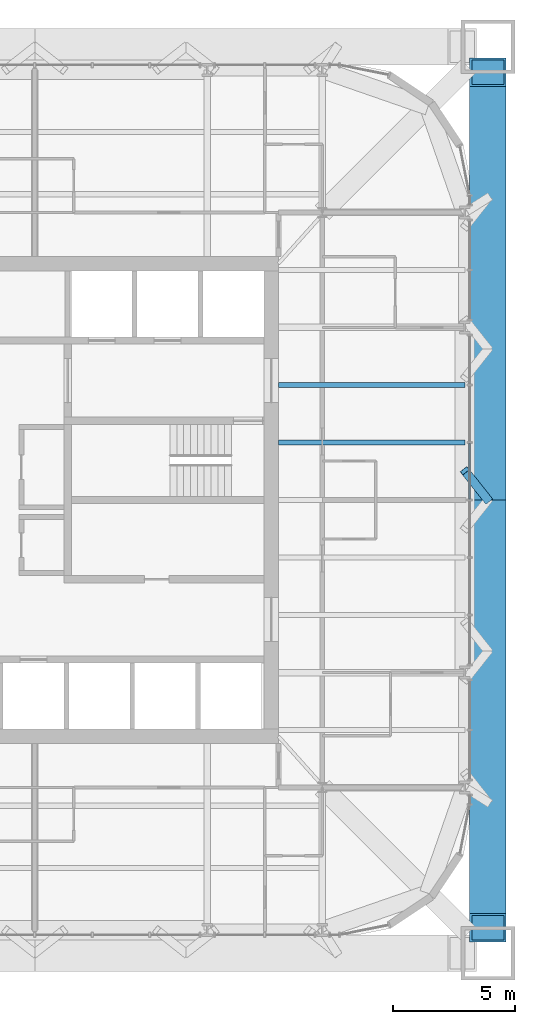
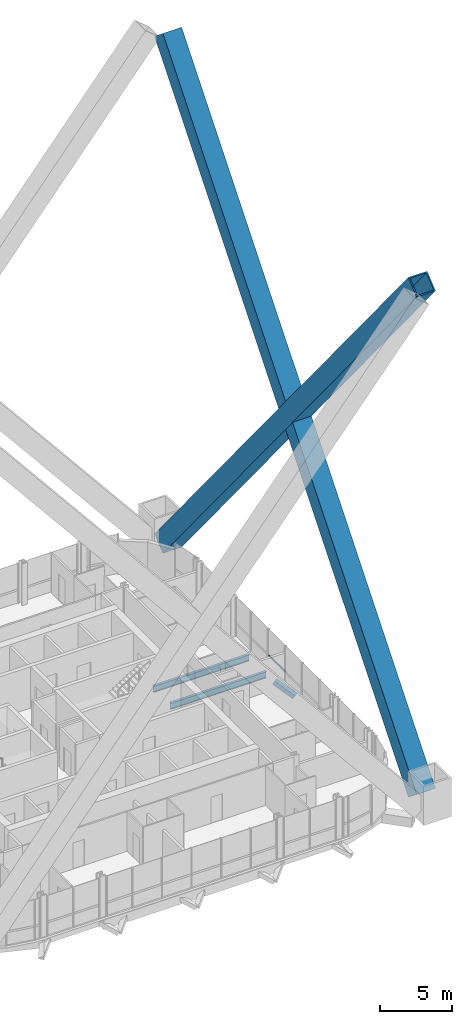
# One storey, part 8 of 23: 3 beams, 3 members, 1 element without a shape of its own.
"""IFC4 building model written with IfcOpenShell, lengths in metres."""

from ifc_helpers import new_model, si_unit, direction, frame, origin, origin_2d, place, context, subcontext, project, spatial, rectangle, hollow_rectangle, i_section, extrude, material, material_profile, profile_set, type_object, element, aggregate, save


model = new_model("IFC4")

# Units and contexts
model_context = context("Model", 3, precision=1e-05, world=origin(), true_north=direction((0.0, 1.0)))
body_context = subcontext(model_context, "Body", "Model", "MODEL_VIEW")
ifc_project = project(units=[si_unit("LENGTHUNIT", "METRE"), si_unit("AREAUNIT", "SQUARE_METRE"), si_unit("VOLUMEUNIT", "CUBIC_METRE"), si_unit("PLANEANGLEUNIT", "RADIAN"), si_unit("MASSUNIT", "GRAM", prefix="KILO")], contexts=[model_context])

# Site, building, storey
site_placement = place(None, origin())
site = spatial("IfcSite", under=ifc_project, at=site_placement, CompositionType="ELEMENT")
building_placement = place(site_placement, origin())
building = spatial("IfcBuilding", under=site, at=building_placement, Name="Turquesa Mirador Hotel Tower", CompositionType="ELEMENT")
storey_placement = place(building_placement, frame((0.0, 0.0, 226.699951171875)))
storey = spatial("IfcBuildingStorey", under=building, at=storey_placement, Name="L61", CompositionType="ELEMENT", Elevation=226.699951171875)

# Beams
ifc_material_1 = material(Name="Steel ASTM A992 Grade 50", Category="steel")
ifc_material_profile_1 = material_profile(ifc_material_1, i_section(OverallWidth=0.209228515625, OverallDepth=0.533447265625, WebThickness=0.01025390625, FlangeThickness=0.015625, at=origin_2d()), Name="W21X62")
ifc_profile_set_1 = profile_set([ifc_material_profile_1], Name="Steel ASTM A992 Grade 50")
beam_type_1 = type_object("IfcBeamType", Name="BEAM W21X62", PredefinedType="BEAM", material=ifc_profile_set_1)
for number, where, z_axis, x_axis, name in (
    (1, (72.64990234375, 47.360107421875, -0.436767578125), (-1.0, 0.0, 0.0), (0.0, -1.0, 0.0), "BM-L61-E-+2.36"),
    (2, (72.64990234375, 49.719970703125, -0.436767578125), (-1.0, 0.0, 0.0), (0.0, -1.0, 0.0), "BM-L61-E-+4.72"),
):
    element("IfcBeam", number, at=place(storey_placement, frame(where, z_axis=z_axis, x_axis=x_axis)), inside=storey, type_object=beam_type_1, Name=name, PredefinedType="BEAM", context=body_context, shape_type="SweptSolid", body=[
        extrude(i_section(OverallWidth=0.209228515625, OverallDepth=0.533447265625, WebThickness=0.01025390625, FlangeThickness=0.015625, at=origin_2d()), origin(), (0.0, 0.0, 1.0), 7.64990234375),
    ])
ifc_material_2 = material(Name="Steel ASTM A500 Grade C", Category="steel")
ifc_material_profile_2 = material_profile(ifc_material_2, hollow_rectangle(XDim=0.355712890625, YDim=0.355712890625, WallThickness=0.0146484375, at=origin_2d()), Name="HSS14X14X5/8")
ifc_profile_set_2 = profile_set([ifc_material_profile_2], Name="Steel ASTM A500 Grade C")
beam_type_2 = type_object("IfcBeamType", Name="BRACE STRUT HSS14X14X5/8", PredefinedType="BEAM", material=ifc_profile_set_2)
beam_placement = place(storey_placement, frame((73.60009765625, 45.0, -1.199951171875), z_axis=(-0.542379264492, 0.684941954003, 0.486496919924), x_axis=(-0.783971428146, -0.620796907089, 0.0)))
element("IfcBeam", 3, at=beam_placement, inside=storey, type_object=beam_type_2, Name="Brace strut", PredefinedType="BEAM", context=body_context, shape_type="SweptSolid", body=[
    extrude(hollow_rectangle(XDim=0.355712890625, YDim=0.355712890625, WallThickness=0.0146484375, at=origin_2d()), origin(), (0.0, 0.0, 1.0), 1.751953125),
])

# Curtain wall, member
ifc_material_3 = material(Name="Aluminium extrusion", Category="aluminium")
curtain_wall_type = type_object("IfcCurtainWallType", Name="CW-4 SUITE FRITTED CURTAIN WALL", PredefinedType="USERDEFINED", material=ifc_material_3)
curtain_wall_placement = place(storey_placement, origin())
curtain_wall = element("IfcCurtainWall", 4, at=curtain_wall_placement, inside=storey, type_object=curtain_wall_type, Name="CW-4 SUITE FRITTED CURTAIN WALL L61", ObjectType="CURTAIN WALL", PredefinedType="USERDEFINED")
ifc_material_4 = material(Name="Aluminium extrusion", Category="aluminium")
ifc_material_profile_3 = material_profile(ifc_material_4, rectangle(XDim=0.06494140625, YDim=0.14990234375, at=origin_2d()), Name="TRANSOM 65X150")
ifc_profile_set_3 = profile_set([ifc_material_profile_3], Name="Aluminium extrusion")
member_type_1 = type_object("IfcMemberType", Name="CW TRANSOM 65X150", PredefinedType="USERDEFINED", material=ifc_profile_set_3)
member_placement = place(storey_placement, frame((72.85009765625, 45.032470703125, 1.10009765625), z_axis=(0.0, 1.0, 0.0), x_axis=(-1.0, 0.0, 0.0)))
member = element("IfcMember", 5, at=member_placement, type_object=member_type_1, Name="Transom", ObjectType="TRANSOM", PredefinedType="USERDEFINED", context=body_context, shape_type="SweptSolid", body=[
    extrude(rectangle(XDim=0.06494140625, YDim=0.14990234375, at=origin_2d()), origin(), (0.0, 0.0, 1.0), 2.294921875),
])
aggregate(curtain_wall, [member])

# Members
ifc_material_5 = material(Name="Steel ASTM A572 Grade 50", Category="steel")
ifc_material_profile_4 = material_profile(ifc_material_5, hollow_rectangle(XDim=1.5, YDim=1.5, WallThickness=0.10009765625, at=origin_2d()), Name="BOX1500X1500X100")
ifc_profile_set_4 = profile_set([ifc_material_profile_4], Name="Steel ASTM A572 Grade 50")
member_type_2 = type_object("IfcMemberType", Name="MEGA BRACE BOX1500X1500X100", PredefinedType="BRACE", material=ifc_profile_set_4)
for number, where, z_axis, x_axis, name in (
    (6, (73.60009765625, 27.449951171875, 1.284423828125), (0.0, 0.632961323464, 0.774183416897), (-1.0, 0.0, 0.0), "Mega brace Z4 E 1"),
    (7, (73.60009765625, 62.550048828125, 1.284423828125), (0.0, -0.632961323464, 0.774183416897), (1.0, 0.0, 0.0), "Mega brace Z4 E 2"),
):
    element("IfcMember", number, at=place(storey_placement, frame(where, z_axis=z_axis, x_axis=x_axis)), inside=storey, type_object=member_type_2, Name=name, PredefinedType="BRACE", context=body_context, shape_type="SweptSolid", body=[
        extrude(hollow_rectangle(XDim=1.5, YDim=1.5, WallThickness=0.10009765625, at=origin_2d()), origin(), (0.0, 0.0, 1.0), 55.453857421875),
    ])

save(model, "model.ifc")
